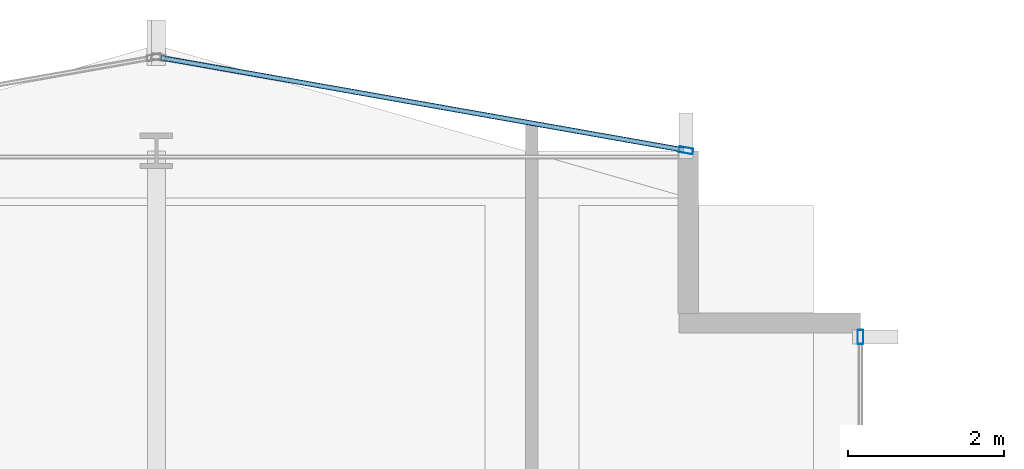
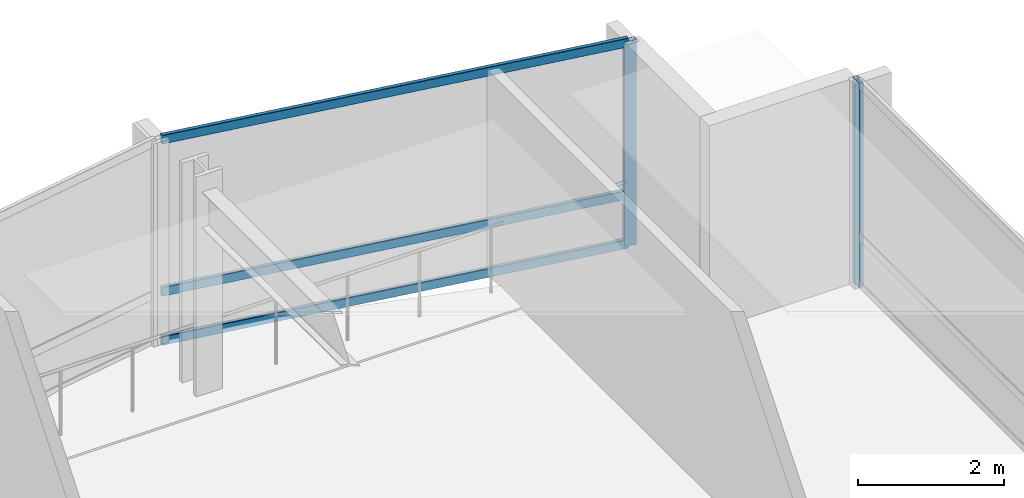
# One storey, part 20 of 29: 5 members, 2 elements without a shape of their own.
"""IFC4 building model written with IfcOpenShell, lengths in metres."""

from ifc_helpers import new_model, si_unit, direction, frame, origin, origin_2d, place, context, subcontext, project, spatial, hollow_rectangle, extrude, material, layer, layer_set, material_profile, profile_set, type_object, element, aggregate, save


model = new_model("IFC4")

# Units and contexts
model_context = context("Model", 3, precision=1e-05, world=origin(), true_north=direction((0.0, 1.0)))
body_context = subcontext(model_context, "Body", "Model", "MODEL_VIEW")
ifc_project = project(units=[si_unit("LENGTHUNIT", "METRE"), si_unit("AREAUNIT", "SQUARE_METRE"), si_unit("VOLUMEUNIT", "CUBIC_METRE"), si_unit("PLANEANGLEUNIT", "RADIAN"), si_unit("MASSUNIT", "GRAM", prefix="KILO")], contexts=[model_context])

# Site, building, storey
site_placement = place(None, origin())
site = spatial("IfcSite", under=ifc_project, at=site_placement, CompositionType="ELEMENT")
building_placement = place(site_placement, origin())
building = spatial("IfcBuilding", under=site, at=building_placement, Name="Solvaryn Broadcast Tower", CompositionType="ELEMENT")
storey_placement = place(building_placement, frame((0.0, 0.0, 121.10009765625)))
storey = spatial("IfcBuildingStorey", under=building, at=storey_placement, Name="L29", CompositionType="ELEMENT", Elevation=121.10009765625)

# Curtain wall, member
ifc_material_1 = material(Name="Aluminium and Terracotta Unitised Curtain Wall", Category="masonry")
ifc_layer = layer(ifc_material_1, 0.199951171875)
ifc_layer_set = layer_set([ifc_layer], Name="CW-SYS2-LOWMID")
curtain_wall_type = type_object("IfcCurtainWallType", Name="CW-SYS2-LOWMID", PredefinedType="NOTDEFINED", material=ifc_layer_set)
curtain_wall_1_placement = place(storey_placement, origin())
curtain_wall_1 = element("IfcCurtainWall", 1, at=curtain_wall_1_placement, inside=storey, type_object=curtain_wall_type, Name="L29 Curtain Wall IV", PredefinedType="NOTDEFINED")
ifc_material_2 = material(Name="Anodised Aluminium 6063-T6", Category="aluminium")
ifc_material_profile_1 = material_profile(ifc_material_2, hollow_rectangle(XDim=0.074951171875, YDim=0.179931640625, WallThickness=0.00390625, InnerFilletRadius=0.00390625, OuterFilletRadius=0.008056640625, at=origin_2d()))
ifc_profile_set_1 = profile_set([ifc_material_profile_1], Name="Anodised Aluminium 6063-T6")
member_type_1 = type_object("IfcMemberType", Name="CW-MUL-180", PredefinedType="MULLION", material=ifc_profile_set_1)
member_1_placement = place(storey_placement, frame((27.0, 51.6201171875, 0.0), z_axis=(0.0, 0.0, 1.0), x_axis=(1.0, 0.0, 0.0)))
member_1 = element("IfcMember", 2, at=member_1_placement, type_object=member_type_1, Name="CWS2 mullion 1", PredefinedType="MULLION", context=body_context, shape_type="SweptSolid", body=[
    extrude(hollow_rectangle(XDim=0.074951171875, YDim=0.179931640625, WallThickness=0.00390625, InnerFilletRadius=0.00390625, OuterFilletRadius=0.008056640625, at=origin_2d()), origin(), (0.0, 0.0, 1.0), 3.419921875),
])
aggregate(curtain_wall_1, [member_1])

# Curtain wall, members
curtain_wall_2_placement = place(storey_placement, origin())
curtain_wall_2 = element("IfcCurtainWall", 3, at=curtain_wall_2_placement, inside=storey, type_object=curtain_wall_type, Name="L29 Curtain Wall NT1", PredefinedType="NOTDEFINED")
member_2_placement = place(storey_placement, frame((24.7705078125, 54.005126953125, 0.0), z_axis=(0.0, 0.0, 1.0), x_axis=(-0.173785333901, -0.984783558819, 0.0)))
member_2 = element("IfcMember", 4, at=member_2_placement, type_object=member_type_1, Name="CWS2 mullion 1", PredefinedType="MULLION", context=body_context, shape_type="SweptSolid", body=[
    extrude(hollow_rectangle(XDim=0.074951171875, YDim=0.179931640625, WallThickness=0.00390625, InnerFilletRadius=0.00390625, OuterFilletRadius=0.008056640625, at=origin_2d()), origin(), (0.0, 0.0, 1.0), 3.419921875),
])
ifc_material_3 = material(Name="Anodised Aluminium 6063-T6", Category="aluminium")
ifc_material_profile_2 = material_profile(ifc_material_3, hollow_rectangle(XDim=0.06494140625, YDim=0.14990234375, WallThickness=0.00390625, InnerFilletRadius=0.00390625, OuterFilletRadius=0.008056640625, at=origin_2d()))
ifc_profile_set_2 = profile_set([ifc_material_profile_2], Name="Anodised Aluminium 6063-T6")
member_type_2 = type_object("IfcMemberType", Name="CW-TRN-150", PredefinedType="USERDEFINED", material=ifc_profile_set_2)
member_3_placement = place(storey_placement, frame((24.740966796875, 54.010498046875, 0.02978515625), z_axis=(-0.984788629673, 0.173756596613, 0.0), x_axis=(-0.173756596613, -0.984788629673, 0.0)))
member_3 = element("IfcMember", 5, at=member_3_placement, type_object=member_type_2, Name="CWS2 transom 1.1", ObjectType="TRANSOM", PredefinedType="USERDEFINED", context=body_context, shape_type="SweptSolid", body=[
    extrude(hollow_rectangle(XDim=0.06494140625, YDim=0.14990234375, WallThickness=0.00390625, InnerFilletRadius=0.00390625, OuterFilletRadius=0.008056640625, at=origin_2d()), origin(), (0.0, 0.0, 1.0), 6.78515625),
])
member_4_placement = place(storey_placement, frame((24.740966796875, 54.010498046875, 0.849853515625), z_axis=(-0.984788629673, 0.173756596613, 0.0), x_axis=(-0.173756596613, -0.984788629673, 0.0)))
member_4 = element("IfcMember", 6, at=member_4_placement, type_object=member_type_2, Name="CWS2 transom 1.2", ObjectType="TRANSOM", PredefinedType="USERDEFINED", context=body_context, shape_type="SweptSolid", body=[
    extrude(hollow_rectangle(XDim=0.06494140625, YDim=0.14990234375, WallThickness=0.00390625, InnerFilletRadius=0.00390625, OuterFilletRadius=0.008056640625, at=origin_2d()), origin(), (0.0, 0.0, 1.0), 6.78515625),
])
member_5_placement = place(storey_placement, frame((24.740966796875, 54.010498046875, 3.389892578125), z_axis=(-0.984788629673, 0.173756596613, 0.0), x_axis=(-0.173756596613, -0.984788629673, 0.0)))
member_5 = element("IfcMember", 7, at=member_5_placement, type_object=member_type_2, Name="CWS2 transom 1.3", ObjectType="TRANSOM", PredefinedType="USERDEFINED", context=body_context, shape_type="SweptSolid", body=[
    extrude(hollow_rectangle(XDim=0.06494140625, YDim=0.14990234375, WallThickness=0.00390625, InnerFilletRadius=0.00390625, OuterFilletRadius=0.008056640625, at=origin_2d()), origin(), (0.0, 0.0, 1.0), 6.78515625),
])
aggregate(curtain_wall_2, [member_2, member_3, member_4, member_5])

save(model, "model.ifc")
